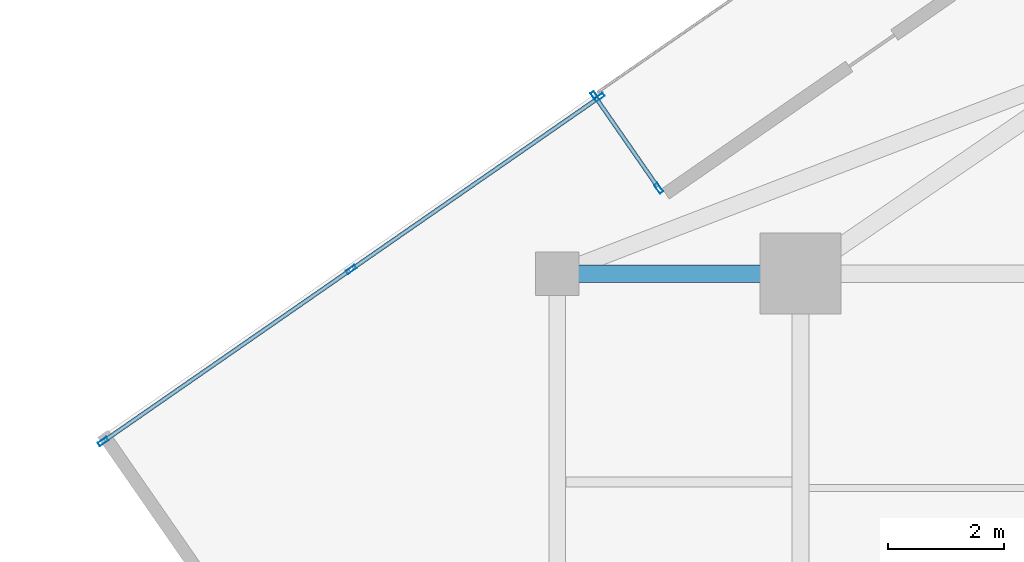
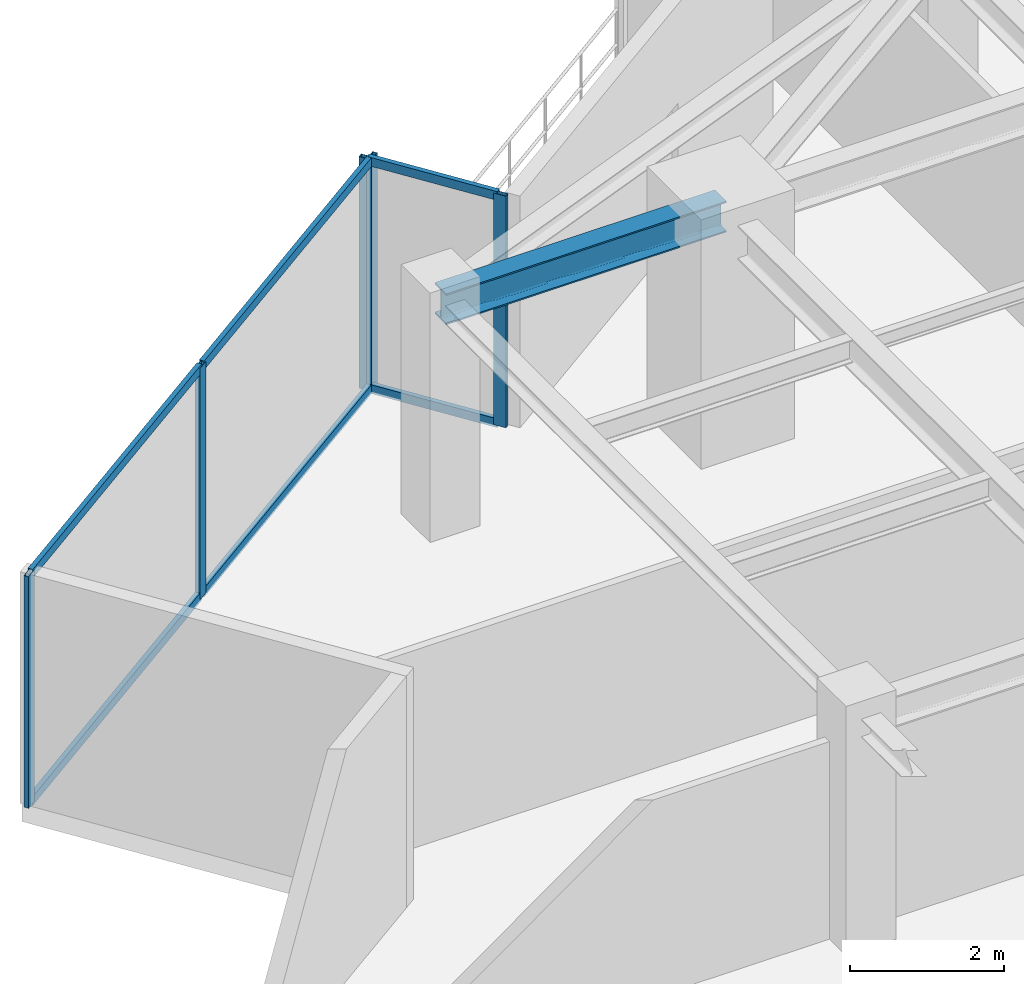
# One storey, part 12 of 21: 11 members, 1 beam, 2 elements without a shape of their own.
"""IFC4 building model written with IfcOpenShell, lengths in metres."""

from ifc_helpers import new_model, si_unit, direction, frame, origin, origin_2d, place, context, subcontext, project, spatial, hollow_rectangle, i_section, extrude, source, transform, mapped, material, material_profile, profile_set, type_object, type_shapes, element, aggregate, save


model = new_model("IFC4")

# Units and contexts
model_context = context("Model", 3, precision=1e-05, world=origin(), true_north=direction((0.0, 1.0)))
body_context = subcontext(model_context, "Body", "Model", "MODEL_VIEW")
ifc_project = project(units=[si_unit("LENGTHUNIT", "METRE"), si_unit("AREAUNIT", "SQUARE_METRE"), si_unit("VOLUMEUNIT", "CUBIC_METRE"), si_unit("PLANEANGLEUNIT", "RADIAN"), si_unit("MASSUNIT", "GRAM", prefix="KILO")], contexts=[model_context])

# Site, building, storey
site_placement = place(None, origin())
site = spatial("IfcSite", under=ifc_project, at=site_placement, CompositionType="ELEMENT")
building_placement = place(site_placement, origin())
building = spatial("IfcBuilding", under=site, at=building_placement, Name="Krantzveldt Concourse Tower", CompositionType="ELEMENT")
storey_placement = place(building_placement, frame((0.0, 0.0, 279.25)))
storey = spatial("IfcBuildingStorey", under=building, at=storey_placement, Name="L68", CompositionType="ELEMENT", Elevation=279.25)

# Beam
ifc_material_1 = material(Name="Steel S355JR", Category="steel")
ifc_material_profile_1 = material_profile(ifc_material_1, i_section(OverallWidth=0.300048828125, OverallDepth=0.489990234375, WebThickness=0.011962890625, FlangeThickness=0.02294921875, FilletRadius=0.027099609375, at=origin_2d()), Name="Steel S355JR", Category="steel")
ifc_profile_set_1 = profile_set([ifc_material_profile_1], Name="Steel S355JR - HEA 500")
beam_type = type_object("IfcBeamType", Name="BM-B-HEA500", PredefinedType="BEAM", material=ifc_profile_set_1)
shared_shape_1 = source(origin(), body_context, "Body", "SweptSolid", [
    extrude(i_section(OverallWidth=0.300048828125, OverallDepth=0.489990234375, WebThickness=0.011962890625, FlangeThickness=0.02294921875, FilletRadius=0.027099609375, at=origin_2d()), origin(), (0.0, 0.0, 1.0), 4.199951171875),
])
type_shapes(beam_type, [shared_shape_1])
beam_placement = place(storey_placement, frame((21.0, 37.5, 3.425048828125), z_axis=(1.0, 0.0, 0.0), x_axis=(0.0, 1.0, 0.0)))
element("IfcBeam", 1, at=beam_placement, inside=storey, type_object=beam_type, Name="L68 Tower Girder BR-RL3", PredefinedType="BEAM", context=body_context, shape_type="MappedRepresentation", body=[
    mapped(shared_shape_1, transform((0.0, 0.0, 0.0), x_axis=(1.0, 0.0, 0.0), y_axis=(0.0, 1.0, 0.0), z_axis=(0.0, 0.0, 1.0), scale=1.0)),
])

# Curtain wall, members
ifc_material_2 = material(Name="Anodised aluminium 6063-T6", Category="aluminium")
curtain_wall_type_1 = type_object("IfcCurtainWallType", Name="CW6", PredefinedType="USERDEFINED", material=ifc_material_2)
curtain_wall_1_placement = place(storey_placement, origin())
curtain_wall_1 = element("IfcCurtainWall", 2, at=curtain_wall_1_placement, inside=storey, type_object=curtain_wall_type_1, Name="CW-L68-TR04", ObjectType="UNITISED CURTAIN WALL", PredefinedType="USERDEFINED")
ifc_material_profile_2 = material_profile(ifc_material_2, hollow_rectangle(XDim=0.070068359375, YDim=0.179931640625, WallThickness=0.0048828125, at=origin_2d()), Name="Anodised aluminium 6063-T6", Category="aluminium")
ifc_profile_set_2 = profile_set([ifc_material_profile_2], Name="Anodised aluminium 6063-T6 - ALU-MULL 180x70x5")
member_type_1 = type_object("IfcMemberType", Name="CW-MUL-180", PredefinedType="MULLION", material=ifc_profile_set_2)
shared_shape_2 = source(origin(), body_context, "Body", "SweptSolid", [
    extrude(hollow_rectangle(XDim=0.070068359375, YDim=0.179931640625, WallThickness=0.0048828125, at=origin_2d()), origin(), (0.0, 0.0, 1.0), 3.669921875),
])
type_shapes(member_type_1, [shared_shape_2])
member_1_placement = place(storey_placement, frame((22.751953125, 38.972412109375, 0.0), z_axis=(0.0, 0.0, 1.0), x_axis=(-0.821647133805, -0.569996480262, 0.0)))
member_1 = element("IfcMember", 3, at=member_1_placement, type_object=member_type_1, Name="CW-TERR mullion 1", PredefinedType="MULLION", context=body_context, shape_type="MappedRepresentation", body=[
    mapped(shared_shape_2, transform((0.0, 0.0, 0.0), x_axis=(1.0, 0.0, 0.0), y_axis=(0.0, 1.0, 0.0), z_axis=(0.0, 0.0, 1.0), scale=1.0)),
])
member_2_placement = place(storey_placement, frame((21.65185546875, 40.558349609375, 0.0), z_axis=(0.0, 0.0, 1.0), x_axis=(-0.821647133805, -0.569996480262, 0.0)))
member_2 = element("IfcMember", 4, at=member_2_placement, type_object=member_type_1, Name="CW-TERR mullion 2", PredefinedType="MULLION", context=body_context, shape_type="MappedRepresentation", body=[
    mapped(shared_shape_2, transform((0.0, 0.0, 0.0), x_axis=(1.0, 0.0, 0.0), y_axis=(0.0, 1.0, 0.0), z_axis=(0.0, 0.0, 1.0), scale=1.0)),
])

curtain_wall_type_2 = type_object("IfcCurtainWallType", Name="CW4", PredefinedType="USERDEFINED", material=ifc_material_2)
curtain_wall_2_placement = place(storey_placement, origin())
curtain_wall_2 = element("IfcCurtainWall", 5, at=curtain_wall_2_placement, inside=storey, type_object=curtain_wall_type_2, Name="CW-L68-F05", ObjectType="UNITISED CURTAIN WALL", PredefinedType="USERDEFINED")
member_3_placement = place(storey_placement, frame((21.728271484375, 40.54443359375, 0.0), z_axis=(0.0, 0.0, 1.0), x_axis=(0.569996057376, -0.82164742717, 0.0)))
member_3 = element("IfcMember", 6, at=member_3_placement, type_object=member_type_1, Name="CW-Z56 mullion 1", PredefinedType="MULLION", context=body_context, shape_type="MappedRepresentation", body=[
    mapped(shared_shape_2, transform((0.0, 0.0, 0.0), x_axis=(1.0, 0.0, 0.0), y_axis=(0.0, 1.0, 0.0), z_axis=(0.0, 0.0, 1.0), scale=1.0)),
])
member_4_placement = place(storey_placement, frame((17.443359375, 37.57177734375, 0.0), z_axis=(0.0, 0.0, 1.0), x_axis=(0.569996057376, -0.82164742717, 0.0)))
member_4 = element("IfcMember", 7, at=member_4_placement, type_object=member_type_1, Name="CW-Z56 mullion 2", PredefinedType="MULLION", context=body_context, shape_type="MappedRepresentation", body=[
    mapped(shared_shape_2, transform((0.0, 0.0, 0.0), x_axis=(1.0, 0.0, 0.0), y_axis=(0.0, 1.0, 0.0), z_axis=(0.0, 0.0, 1.0), scale=1.0)),
])
member_5_placement = place(storey_placement, frame((13.158447265625, 34.599365234375, 0.0), z_axis=(0.0, 0.0, 1.0), x_axis=(0.569996057376, -0.82164742717, 0.0)))
member_5 = element("IfcMember", 8, at=member_5_placement, type_object=member_type_1, Name="CW-Z56 mullion 3", PredefinedType="MULLION", context=body_context, shape_type="MappedRepresentation", body=[
    mapped(shared_shape_2, transform((0.0, 0.0, 0.0), x_axis=(1.0, 0.0, 0.0), y_axis=(0.0, 1.0, 0.0), z_axis=(0.0, 0.0, 1.0), scale=1.0)),
])

# Member
ifc_material_profile_3 = material_profile(ifc_material_2, hollow_rectangle(XDim=0.070068359375, YDim=0.139892578125, WallThickness=0.0048828125, at=origin_2d()), Name="Anodised aluminium 6063-T6", Category="aluminium")
ifc_profile_set_3 = profile_set([ifc_material_profile_3], Name="Anodised aluminium 6063-T6 - ALU-TRAN 140x70x5")
member_type_2 = type_object("IfcMemberType", Name="CW-TRN-150", PredefinedType="USERDEFINED", material=ifc_profile_set_3)
shared_shape_3 = source(origin(), body_context, "Body", "SweptSolid", [
    extrude(hollow_rectangle(XDim=0.070068359375, YDim=0.139892578125, WallThickness=0.0048828125, at=origin_2d()), origin(), (0.0, 0.0, 1.0), 1.85986328125),
])
member_6_placement = place(storey_placement, frame((22.73193359375, 39.001220703125, 0.034912109375), z_axis=(-0.569933266544, 0.821690983087, 0.0), x_axis=(-0.821690983087, -0.569933266544, 0.0)))
member_6 = element("IfcMember", 9, at=member_6_placement, type_object=member_type_2, Name="CW-TERR transom 1.1", ObjectType="TRANSOM", PredefinedType="USERDEFINED", context=body_context, shape_type="MappedRepresentation", body=[
    mapped(shared_shape_3, transform((0.0, 0.0, 0.0), x_axis=(1.0, 0.0, 0.0), y_axis=(0.0, 1.0, 0.0), z_axis=(0.0, 0.0, 1.0), scale=1.0)),
])

member_7_placement = place(storey_placement, frame((22.73193359375, 39.001220703125, 3.635009765625), z_axis=(-0.569933266544, 0.821690983087, 0.0), x_axis=(-0.821690983087, -0.569933266544, 0.0)))
member_7 = element("IfcMember", 10, at=member_7_placement, type_object=member_type_2, Name="CW-TERR transom 1.2", ObjectType="TRANSOM", PredefinedType="USERDEFINED", context=body_context, shape_type="MappedRepresentation", body=[
    mapped(shared_shape_3, transform((0.0, 0.0, 0.0), x_axis=(1.0, 0.0, 0.0), y_axis=(0.0, 1.0, 0.0), z_axis=(0.0, 0.0, 1.0), scale=1.0)),
])

aggregate(curtain_wall_1, [member_1, member_2, member_6, member_7])

shared_shape_4 = source(origin(), body_context, "Body", "SweptSolid", [
    extrude(hollow_rectangle(XDim=0.070068359375, YDim=0.139892578125, WallThickness=0.0048828125, at=origin_2d()), origin(), (0.0, 0.0, 1.0), 5.14501953125),
])
type_shapes(member_type_2, [shared_shape_3, shared_shape_4])
member_8_placement = place(storey_placement, frame((21.69970703125, 40.5244140625, 0.034912109375), z_axis=(-0.821658863319, -0.569979571852, 0.0), x_axis=(0.569979571852, -0.821658863319, 0.0)))
member_8 = element("IfcMember", 11, at=member_8_placement, type_object=member_type_2, Name="CW-Z56 transom 1.1", ObjectType="TRANSOM", PredefinedType="USERDEFINED", context=body_context, shape_type="MappedRepresentation", body=[
    mapped(shared_shape_4, transform((0.0, 0.0, 0.0), x_axis=(1.0, 0.0, 0.0), y_axis=(0.0, 1.0, 0.0), z_axis=(0.0, 0.0, 1.0), scale=1.0)),
])

member_9_placement = place(storey_placement, frame((21.69970703125, 40.5244140625, 3.635009765625), z_axis=(-0.821658863319, -0.569979571852, 0.0), x_axis=(0.569979571852, -0.821658863319, 0.0)))
member_9 = element("IfcMember", 12, at=member_9_placement, type_object=member_type_2, Name="CW-Z56 transom 1.2", ObjectType="TRANSOM", PredefinedType="USERDEFINED", context=body_context, shape_type="MappedRepresentation", body=[
    mapped(shared_shape_4, transform((0.0, 0.0, 0.0), x_axis=(1.0, 0.0, 0.0), y_axis=(0.0, 1.0, 0.0), z_axis=(0.0, 0.0, 1.0), scale=1.0)),
])

member_10_placement = place(storey_placement, frame((17.414794921875, 37.552001953125, 0.034912109375), z_axis=(-0.821658863319, -0.569979571852, 0.0), x_axis=(0.569979571852, -0.821658863319, 0.0)))
member_10 = element("IfcMember", 13, at=member_10_placement, type_object=member_type_2, Name="CW-Z56 transom 2.1", ObjectType="TRANSOM", PredefinedType="USERDEFINED", context=body_context, shape_type="MappedRepresentation", body=[
    mapped(shared_shape_4, transform((0.0, 0.0, 0.0), x_axis=(1.0, 0.0, 0.0), y_axis=(0.0, 1.0, 0.0), z_axis=(0.0, 0.0, 1.0), scale=1.0)),
])

member_11_placement = place(storey_placement, frame((17.414794921875, 37.552001953125, 3.635009765625), z_axis=(-0.821658863319, -0.569979571852, 0.0), x_axis=(0.569979571852, -0.821658863319, 0.0)))
member_11 = element("IfcMember", 14, at=member_11_placement, type_object=member_type_2, Name="CW-Z56 transom 2.2", ObjectType="TRANSOM", PredefinedType="USERDEFINED", context=body_context, shape_type="MappedRepresentation", body=[
    mapped(shared_shape_4, transform((0.0, 0.0, 0.0), x_axis=(1.0, 0.0, 0.0), y_axis=(0.0, 1.0, 0.0), z_axis=(0.0, 0.0, 1.0), scale=1.0)),
])

aggregate(curtain_wall_2, [member_3, member_4, member_5, member_8, member_9, member_10, member_11])

save(model, "model.ifc")
